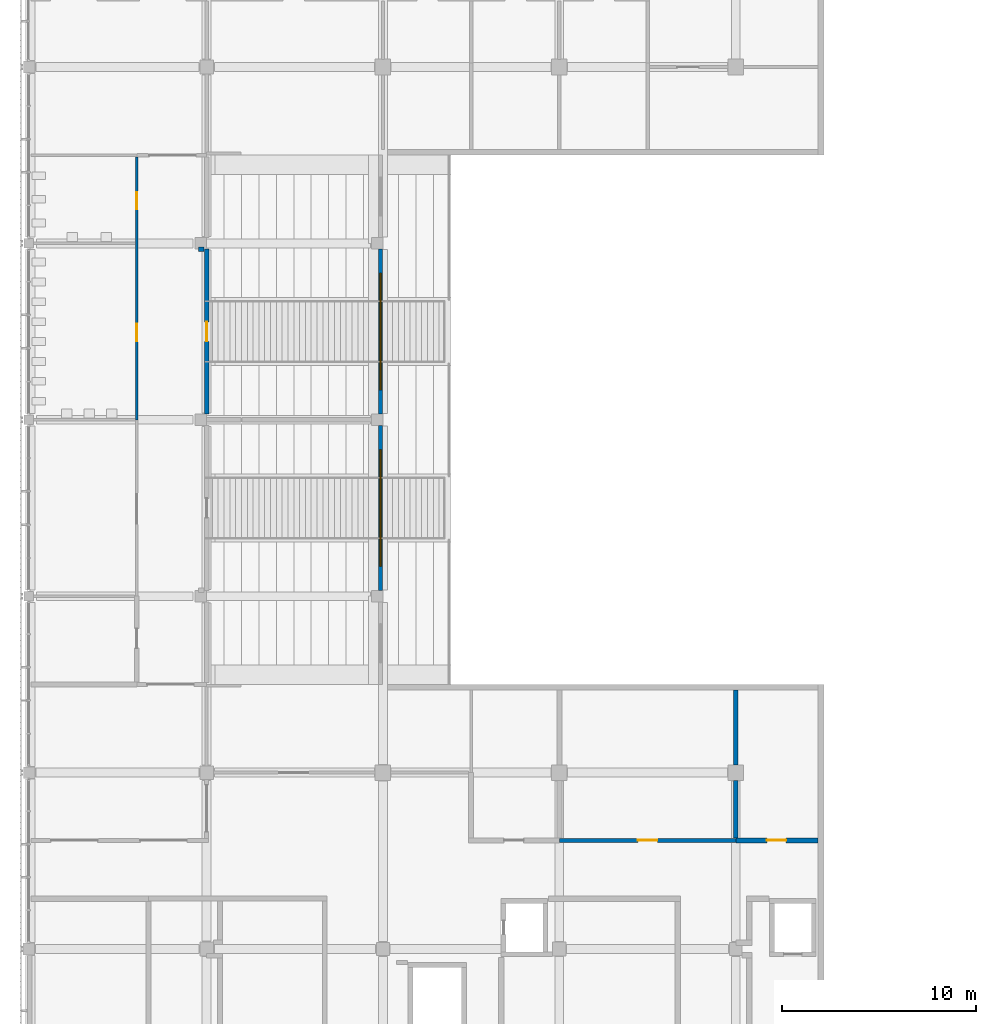
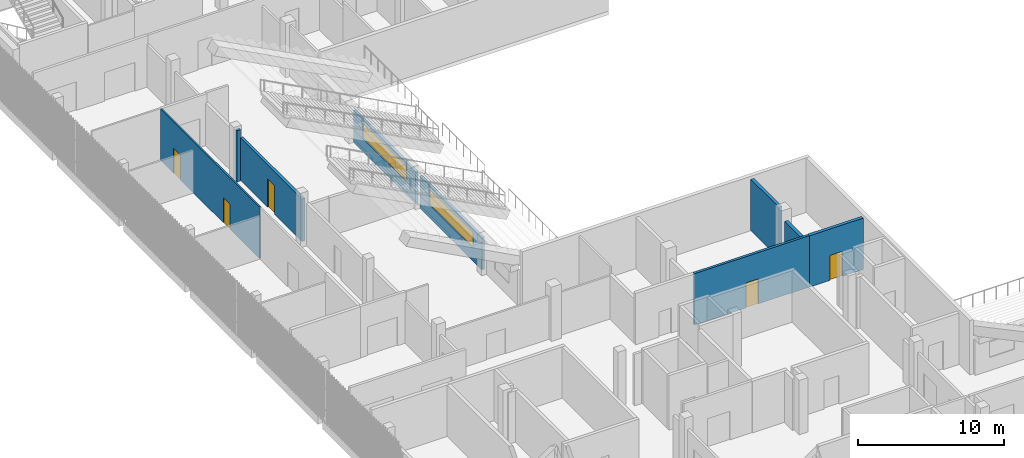
# One storey, part 77 of 139: 9 walls, 5 doors, 2 windows, 7 openings.
"""IFC4 building model written with IfcOpenShell, lengths in metres."""

from ifc_helpers import new_model, si_unit, direction, frame, frame_2d, origin, place, context, subcontext, project, spatial, rectangle, extrude, material, layer, layer_set, type_object, element, fill, save


model = new_model("IFC4")

# Units and contexts
model_context = context("Model", 3, precision=1e-05, world=origin(), true_north=direction((0.0, 1.0)))
body_context = subcontext(model_context, "Body", "Model", "MODEL_VIEW")
ifc_project = project(units=[si_unit("LENGTHUNIT", "METRE"), si_unit("AREAUNIT", "SQUARE_METRE"), si_unit("VOLUMEUNIT", "CUBIC_METRE"), si_unit("PLANEANGLEUNIT", "RADIAN"), si_unit("MASSUNIT", "GRAM", prefix="KILO")], contexts=[model_context])

# Site, building, storey
site_placement = place(None, origin())
site = spatial("IfcSite", under=ifc_project, at=site_placement, CompositionType="ELEMENT")
building_placement = place(site_placement, origin())
building = spatial("IfcBuilding", under=site, at=building_placement, Name="Shirokan Park Arena", CompositionType="ELEMENT")
storey_placement = place(building_placement, frame((0.0, 0.0, 15.469970703125)))
storey = spatial("IfcBuildingStorey", under=building, at=storey_placement, Name="L03", CompositionType="ELEMENT", Elevation=15.469970703125)

# Wall, opening, window
ifc_material_1 = material(Name="Cedar timber lining", Category="wood")
ifc_layer_1 = layer(ifc_material_1, 0.02001953125, Name="Cedar timber lining")
ifc_material_2 = material(Name="Plywood", Category="wood")
ifc_layer_2 = layer(ifc_material_2, 0.01806640625, Name="Plywood")
ifc_material_3 = material(Name="Mineral wool insulation")
ifc_layer_3 = layer(ifc_material_3, 0.14208984375, Name="Mineral wool insulation")
ifc_material_4 = material(Name="Gypsum board")
ifc_layer_4 = layer(ifc_material_4, 0.02001953125, Name="Gypsum board")
ifc_layer_set_1 = layer_set([ifc_layer_1, ifc_layer_2, ifc_layer_3, ifc_layer_4], Name="Cedar timber lining + Plywood + Mineral wool insulation + Gypsum board")
wall_type_1 = type_object("IfcWallType", Name="Bowl front wall 200", PredefinedType="PARTITIONING", material=ifc_layer_set_1)
wall_1_placement = place(storey_placement, frame((18.070068359375, 54.300048828125, 0.0), z_axis=(0.0, 0.0, 1.0), x_axis=(0.0, -1.0, 0.0)))
wall_1 = element("IfcWall", 1, at=wall_1_placement, inside=storey, type_object=wall_type_1, Name="Bowl front wall 200 L03", PredefinedType="PARTITIONING", context=body_context, shape_type="SweptSolid", body=[
    extrude(rectangle(XDim=8.5, YDim=0.199951171875, at=frame_2d((4.25, 0.0))), origin(), (0.0, 0.0, 1.0), 2.7099609375),
])
opening_1_placement = place(wall_1_placement, frame((1.25, 0.0, 1.10009765625)))
opening_1 = element("IfcOpeningElement", 2, at=opening_1_placement, cuts=wall_1, Name="Opening W8", PredefinedType="OPENING", context=body_context, shape_type="SweptSolid", body=[
    extrude(rectangle(XDim=6.0, YDim=1.300048828125, at=frame_2d((3.0, 0.64990234375))), frame((0.0, 0.10986328125, 0.0), z_axis=(0.0, -1.0, 0.0), x_axis=(1.0, 0.0, 0.0)), (0.0, 0.0, 1.0), 0.219970703125),
])
ifc_material_5 = material(Name="Aluminium frame with laminated glass", Category="aluminium")
window_type = type_object("IfcWindowType", Name="Suite viewing window 6000 x 1300", PartitioningType="SINGLE_PANEL", PredefinedType="WINDOW", material=ifc_material_5)
window_1_placement = place(opening_1_placement, origin())
window_1 = element("IfcWindow", 3, at=window_1_placement, inside=storey, type_object=window_type, Name="Suite viewing window 6000 x 1300 L03", OverallHeight=1.300048828125, OverallWidth=6.0, PartitioningType="SINGLE_PANEL", PredefinedType="WINDOW", context=body_context, shape_type="SweptSolid", body=[
    extrude(rectangle(XDim=6.0, YDim=1.300048828125, at=frame_2d((3.0, 0.64990234375))), frame((0.0, 0.030029296875, 0.0), z_axis=(0.0, -1.0, 0.0), x_axis=(1.0, 0.0, 0.0)), (0.0, 0.0, 1.0), 0.06005859375),
])
fill(opening_1, window_1)

wall_2_placement = place(storey_placement, frame((18.070068359375, 63.39990234375, 0.0), z_axis=(0.0, 0.0, 1.0), x_axis=(0.0, -1.0, 0.0)))
wall_2 = element("IfcWall", 4, at=wall_2_placement, inside=storey, type_object=wall_type_1, Name="Bowl front wall 200 L03", PredefinedType="PARTITIONING", context=body_context, shape_type="SweptSolid", body=[
    extrude(rectangle(XDim=8.5, YDim=0.199951171875, at=frame_2d((4.25, 0.0))), origin(), (0.0, 0.0, 1.0), 2.7099609375),
])
opening_2_placement = place(wall_2_placement, frame((1.25, 0.0, 1.10009765625)))
opening_2 = element("IfcOpeningElement", 5, at=opening_2_placement, cuts=wall_2, Name="Opening W8", PredefinedType="OPENING", context=body_context, shape_type="SweptSolid", body=[
    extrude(rectangle(XDim=6.0, YDim=1.300048828125, at=frame_2d((3.0, 0.64990234375))), frame((0.0, 0.10986328125, 0.0), z_axis=(0.0, -1.0, 0.0), x_axis=(1.0, 0.0, 0.0)), (0.0, 0.0, 1.0), 0.219970703125),
])
window_2_placement = place(opening_2_placement, origin())
window_2 = element("IfcWindow", 6, at=window_2_placement, inside=storey, type_object=window_type, Name="Suite viewing window 6000 x 1300 L03", OverallHeight=1.300048828125, OverallWidth=6.0, PartitioningType="SINGLE_PANEL", PredefinedType="WINDOW", context=body_context, shape_type="SweptSolid", body=[
    extrude(rectangle(XDim=6.0, YDim=1.300048828125, at=frame_2d((3.0, 0.64990234375))), frame((0.0, 0.030029296875, 0.0), z_axis=(0.0, -1.0, 0.0), x_axis=(1.0, 0.0, 0.0)), (0.0, 0.0, 1.0), 0.06005859375),
])
fill(opening_2, window_2)

# Walls
ifc_material_6 = material(Name="Plaster")
ifc_layer_5 = layer(ifc_material_6, 0.014892578125, Name="Plaster")
ifc_material_7 = material(Name="Concrete blockwork", Category="masonry")
ifc_layer_6 = layer(ifc_material_7, 0.219970703125, Name="Concrete blockwork 220")
ifc_layer_7 = layer(ifc_material_6, 0.014892578125, Name="Plaster")
ifc_layer_set_2 = layer_set([ifc_layer_5, ifc_layer_6, ifc_layer_7], Name="Plaster + Concrete blockwork 220")
wall_type_2 = type_object("IfcWallType", Name="Compartment wall 250", PredefinedType="SOLIDWALL", material=ifc_layer_set_2)
wall_3_placement = place(storey_placement, frame((36.39990234375, 36.0, 0.0), z_axis=(0.0, 0.0, 1.0), x_axis=(0.0, -1.0, 0.0)))
element("IfcWall", 7, at=wall_3_placement, inside=storey, type_object=wall_type_2, Name="Compartment wall 250 L03", PredefinedType="SOLIDWALL", context=body_context, shape_type="SweptSolid", body=[
    extrude(rectangle(XDim=2.97509765625, YDim=0.25, at=frame_2d((1.487548828125, 0.0))), origin(), (0.0, 0.0, 1.0), 3.60009765625),
])
wall_4_placement = place(storey_placement, frame((36.39990234375, 40.64990234375, 0.0), z_axis=(0.0, 0.0, 1.0), x_axis=(0.0, -1.0, 0.0)))
element("IfcWall", 8, at=wall_4_placement, inside=storey, type_object=wall_type_2, Name="Compartment wall 250 L03", PredefinedType="SOLIDWALL", context=body_context, shape_type="SweptSolid", body=[
    extrude(rectangle(XDim=3.849853515625, YDim=0.25, at=frame_2d((1.9248046875, 0.0))), origin(), (0.0, 0.0, 1.0), 4.300048828125),
])

# Wall, opening, door
wall_5_placement = place(storey_placement, frame((40.64990234375, 32.89990234375, 0.0), z_axis=(0.0, 0.0, 1.0), x_axis=(-1.0, 0.0, 0.0)))
wall_5 = element("IfcWall", 9, at=wall_5_placement, inside=storey, type_object=wall_type_2, Name="Compartment wall 250 L03", PredefinedType="SOLIDWALL", context=body_context, shape_type="SweptSolid", body=[
    extrude(rectangle(XDim=4.25, YDim=0.25, at=frame_2d((2.125, 0.0))), origin(), (0.0, 0.0, 1.0), 4.300048828125),
])
opening_3_placement = place(wall_5_placement, frame((1.64990234375, 0.0, 0.0)))
opening_3 = element("IfcOpeningElement", 10, at=opening_3_placement, cuts=wall_5, Name="Opening D-3012", PredefinedType="OPENING", context=body_context, shape_type="SweptSolid", body=[
    extrude(rectangle(XDim=1.0, YDim=2.10009765625, at=frame_2d((0.5, 1.050048828125))), frame((0.0, 0.135009765625, 0.0), z_axis=(0.0, -1.0, 0.0), x_axis=(1.0, 0.0, 0.0)), (0.0, 0.0, 1.0), 0.27001953125),
])
ifc_material_8 = material(Name="Timber door set, fire resisting", Category="wood")
door_type_1 = type_object("IfcDoorType", Name="Door 1000 x 2100", OperationType="SINGLE_SWING_LEFT", PredefinedType="DOOR", material=ifc_material_8)
door_1_placement = place(opening_3_placement, origin())
door_1 = element("IfcDoor", 11, at=door_1_placement, inside=storey, type_object=door_type_1, Name="Door to Suite Beverage Store 3.14 D-3012", OperationType="SINGLE_SWING_RIGHT", OverallHeight=2.10009765625, OverallWidth=1.0, PredefinedType="DOOR", context=body_context, shape_type="SweptSolid", body=[
    extrude(rectangle(XDim=1.0, YDim=2.10009765625, at=frame_2d((0.5, 1.050048828125))), frame((0.0, 0.02490234375, 0.0), z_axis=(0.0, -1.0, 0.0), x_axis=(1.0, 0.0, 0.0)), (0.0, 0.0, 1.0), 0.050048828125),
])
fill(opening_3, door_1)

ifc_layer_8 = layer(ifc_material_4, 0.02490234375, Name="Gypsum board, two layers")
ifc_layer_9 = layer(ifc_material_3, 0.14990234375, Name="Mineral wool insulation")
ifc_layer_10 = layer(ifc_material_4, 0.02490234375, Name="Gypsum board, two layers")
ifc_layer_set_3 = layer_set([ifc_layer_8, ifc_layer_9, ifc_layer_10], Name="Gypsum board, two layers + Mineral wool insulation")
wall_type_3 = type_object("IfcWallType", Name="Corridor wall 200", PredefinedType="PARTITIONING", material=ifc_layer_set_3)
wall_6_placement = place(storey_placement, frame((36.39990234375, 32.89990234375, 0.0), z_axis=(0.0, 0.0, 1.0), x_axis=(-1.0, 0.0, 0.0)))
wall_6 = element("IfcWall", 12, at=wall_6_placement, inside=storey, type_object=wall_type_3, Name="Corridor wall 200 L03", PredefinedType="PARTITIONING", context=body_context, shape_type="SweptSolid", body=[
    extrude(rectangle(XDim=9.099853515625, YDim=0.199951171875, at=frame_2d((4.5498046875, 0.0))), origin(), (0.0, 0.0, 1.0), 4.300048828125),
])
opening_4_placement = place(wall_6_placement, frame((4.050048828125, 0.0, 0.0)))
opening_4 = element("IfcOpeningElement", 13, at=opening_4_placement, cuts=wall_6, Name="Opening D-3011", PredefinedType="OPENING", context=body_context, shape_type="SweptSolid", body=[
    extrude(rectangle(XDim=1.0, YDim=2.10009765625, at=frame_2d((0.5, 1.050048828125))), frame((0.0, 0.10986328125, 0.0), z_axis=(0.0, -1.0, 0.0), x_axis=(1.0, 0.0, 0.0)), (0.0, 0.0, 1.0), 0.219970703125),
])
door_2_placement = place(opening_4_placement, origin())
door_2 = element("IfcDoor", 14, at=door_2_placement, inside=storey, type_object=door_type_1, Name="Door to Hospitality Office 3.13 D-3011", OperationType="SINGLE_SWING_RIGHT", OverallHeight=2.10009765625, OverallWidth=1.0, PredefinedType="DOOR", context=body_context, shape_type="SweptSolid", body=[
    extrude(rectangle(XDim=1.0, YDim=2.10009765625, at=frame_2d((0.5, 1.050048828125))), frame((0.0, 0.02490234375, 0.0), z_axis=(0.0, -1.0, 0.0), x_axis=(1.0, 0.0, 0.0)), (0.0, 0.0, 1.0), 0.050048828125),
])
fill(opening_4, door_2)

# Wall
ifc_layer_11 = layer(ifc_material_4, 0.02490234375, Name="Gypsum board, two layers")
ifc_layer_12 = layer(ifc_material_3, 0.074951171875, Name="Mineral wool insulation")
ifc_material_9 = material(Name="Air cavity")
ifc_layer_13 = layer(ifc_material_9, 0.02490234375, Name="Air cavity")
ifc_layer_14 = layer(ifc_material_3, 0.074951171875, Name="Mineral wool insulation")
ifc_layer_15 = layer(ifc_material_4, 0.02490234375, Name="Gypsum board, two layers")
ifc_layer_set_4 = layer_set([ifc_layer_11, ifc_layer_12, ifc_layer_13, ifc_layer_14, ifc_layer_15], Name="Gypsum board, two layers + Mineral wool insulation + Air cavity")
wall_type_4 = type_object("IfcWallType", Name="Suite party wall 225", PredefinedType="PARTITIONING", material=ifc_layer_set_4)
wall_7_placement = place(storey_placement, frame((8.675048828125, 63.39990234375, 0.0), z_axis=(0.0, 0.0, 1.0), x_axis=(1.0, 0.0, 0.0)))
element("IfcWall", 15, at=wall_7_placement, inside=storey, type_object=wall_type_4, Name="Suite party wall 225 L03", PredefinedType="PARTITIONING", context=body_context, shape_type="SweptSolid", body=[
    extrude(rectangle(XDim=0.300048828125, YDim=0.22509765625, at=frame_2d((0.14990234375, 0.0))), origin(), (0.0, 0.0, 1.0), 4.300048828125),
])

# Wall, opening, door
wall_8_placement = place(storey_placement, frame((9.10009765625, 63.39990234375, 0.0), z_axis=(0.0, 0.0, 1.0), x_axis=(0.0, -1.0, 0.0)))
wall_8 = element("IfcWall", 16, at=wall_8_placement, inside=storey, type_object=wall_type_4, Name="Suite party wall 225 L03", PredefinedType="PARTITIONING", context=body_context, shape_type="SweptSolid", body=[
    extrude(rectangle(XDim=8.5, YDim=0.22509765625, at=frame_2d((4.25, 0.0))), origin(), (0.0, 0.0, 1.0), 3.550048828125),
])
opening_5_placement = place(wall_8_placement, frame((3.75, 0.0, 0.0)))
opening_5 = element("IfcOpeningElement", 17, at=opening_5_placement, cuts=wall_8, Name="Opening D-3080", PredefinedType="OPENING", context=body_context, shape_type="SweptSolid", body=[
    extrude(rectangle(XDim=1.0, YDim=2.39990234375, at=frame_2d((0.5, 1.199951171875))), frame((0.0, 0.12255859375, 0.0), z_axis=(0.0, -1.0, 0.0), x_axis=(1.0, 0.0, 0.0)), (0.0, 0.0, 1.0), 0.2451171875),
])
ifc_material_10 = material(Name="Glazed timber door set, fire resisting", Category="wood")
door_type_2 = type_object("IfcDoorType", Name="Suite door 1000 x 2400", OperationType="SINGLE_SWING_LEFT", PredefinedType="DOOR", material=ifc_material_10)
door_3_placement = place(opening_5_placement, origin())
door_3 = element("IfcDoor", 18, at=door_3_placement, inside=storey, type_object=door_type_2, Name="Door to Hospitality Suite 3.42 D-3080", OperationType="SINGLE_SWING_RIGHT", OverallHeight=2.39990234375, OverallWidth=1.0, PredefinedType="DOOR", context=body_context, shape_type="SweptSolid", body=[
    extrude(rectangle(XDim=1.0, YDim=2.39990234375, at=frame_2d((0.5, 1.199951171875))), frame((0.0, 0.02490234375, 0.0), z_axis=(0.0, -1.0, 0.0), x_axis=(1.0, 0.0, 0.0)), (0.0, 0.0, 1.0), 0.050048828125),
])
fill(opening_5, door_3)

# Wall, openings, doors
ifc_material_11 = material(Name="Ceramic tile")
ifc_layer_16 = layer(ifc_material_11, 0.010009765625, Name="Ceramic tile")
ifc_material_12 = material(Name="Cement board")
ifc_layer_17 = layer(ifc_material_12, 0.012451171875, Name="Cement board")
ifc_layer_18 = layer(ifc_material_3, 0.080078125, Name="Mineral wool insulation")
ifc_layer_19 = layer(ifc_material_12, 0.012451171875, Name="Cement board")
ifc_layer_20 = layer(ifc_material_11, 0.010009765625, Name="Ceramic tile")
ifc_layer_set_5 = layer_set([ifc_layer_16, ifc_layer_17, ifc_layer_18, ifc_layer_19, ifc_layer_20], Name="Ceramic tile + Cement board + Mineral wool insulation")
wall_type_5 = type_object("IfcWallType", Name="Wet-area wall 125", PredefinedType="PARTITIONING", material=ifc_layer_set_5)
wall_9_placement = place(storey_placement, frame((5.5, 54.60009765625, 0.0), z_axis=(0.0, 0.0, 1.0), x_axis=(0.0, 1.0, 0.0)))
wall_9 = element("IfcWall", 19, at=wall_9_placement, inside=storey, type_object=wall_type_5, Name="Wet-area wall 125 L03", PredefinedType="PARTITIONING", context=body_context, shape_type="SweptSolid", body=[
    extrude(rectangle(XDim=13.5498046875, YDim=0.125, at=frame_2d((6.77490234375, 0.0))), origin(), (0.0, 0.0, 1.0), 4.300048828125),
])
opening_6_placement = place(wall_9_placement, frame((4.050048828125, 0.0, 0.0)))
opening_6 = element("IfcOpeningElement", 20, at=opening_6_placement, cuts=wall_9, Name="Opening D-3077", PredefinedType="OPENING", context=body_context, shape_type="SweptSolid", body=[
    extrude(rectangle(XDim=0.89990234375, YDim=2.10009765625, at=frame_2d((0.449951171875, 1.050048828125))), frame((0.0, 0.072509765625, 0.0), z_axis=(0.0, -1.0, 0.0), x_axis=(1.0, 0.0, 0.0)), (0.0, 0.0, 1.0), 0.14501953125),
])
opening_7_placement = place(wall_9_placement, frame((10.85009765625, 0.0, 0.0)))
opening_7 = element("IfcOpeningElement", 21, at=opening_7_placement, cuts=wall_9, Name="Opening D-3078", PredefinedType="OPENING", context=body_context, shape_type="SweptSolid", body=[
    extrude(rectangle(XDim=0.89990234375, YDim=2.10009765625, at=frame_2d((0.449951171875, 1.050048828125))), frame((0.0, 0.072509765625, 0.0), z_axis=(0.0, -1.0, 0.0), x_axis=(1.0, 0.0, 0.0)), (0.0, 0.0, 1.0), 0.14501953125),
])
door_type_3 = type_object("IfcDoorType", Name="Door 900 x 2100", OperationType="SINGLE_SWING_LEFT", PredefinedType="DOOR", material=ifc_material_8)
door_4_placement = place(opening_6_placement, origin())
door_4 = element("IfcDoor", 22, at=door_4_placement, inside=storey, type_object=door_type_3, Name="Door to Men's WC 3.43 D-3077", OperationType="SINGLE_SWING_RIGHT", OverallHeight=2.10009765625, OverallWidth=0.89990234375, PredefinedType="DOOR", context=body_context, shape_type="SweptSolid", body=[
    extrude(rectangle(XDim=0.89990234375, YDim=2.10009765625, at=frame_2d((0.449951171875, 1.050048828125))), frame((0.0, 0.02490234375, 0.0), z_axis=(0.0, -1.0, 0.0), x_axis=(1.0, 0.0, 0.0)), (0.0, 0.0, 1.0), 0.050048828125),
])
fill(opening_6, door_4)
door_5_placement = place(opening_7_placement, origin())
door_5 = element("IfcDoor", 23, at=door_5_placement, inside=storey, type_object=door_type_3, Name="Door to Women's WC 3.44 D-3078", OperationType="SINGLE_SWING_RIGHT", OverallHeight=2.10009765625, OverallWidth=0.89990234375, PredefinedType="DOOR", context=body_context, shape_type="SweptSolid", body=[
    extrude(rectangle(XDim=0.89990234375, YDim=2.10009765625, at=frame_2d((0.449951171875, 1.050048828125))), frame((0.0, 0.02490234375, 0.0), z_axis=(0.0, -1.0, 0.0), x_axis=(1.0, 0.0, 0.0)), (0.0, 0.0, 1.0), 0.050048828125),
])
fill(opening_7, door_5)

save(model, "model.ifc")
